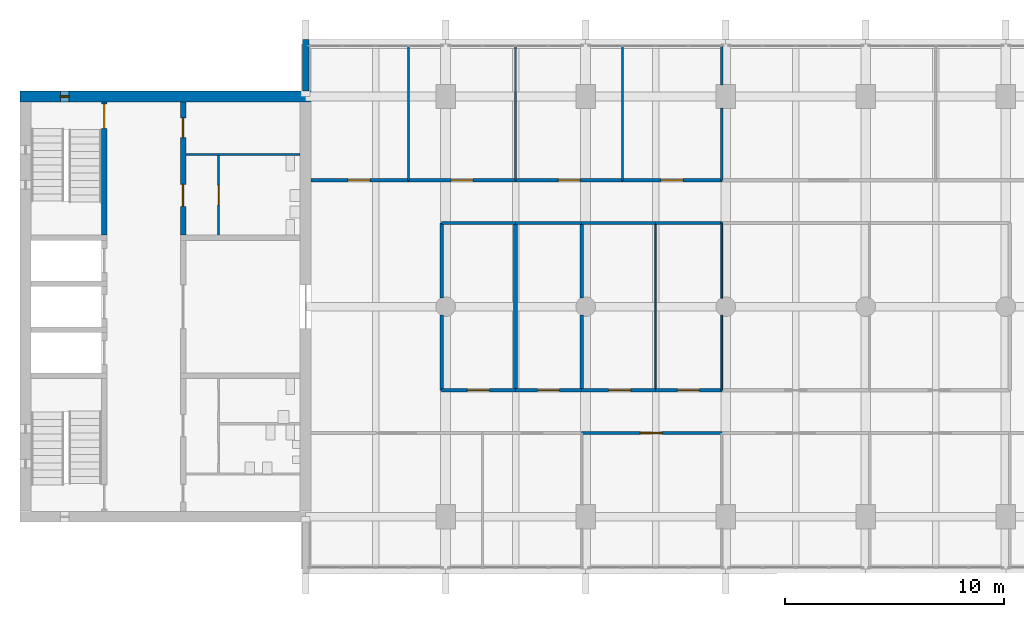
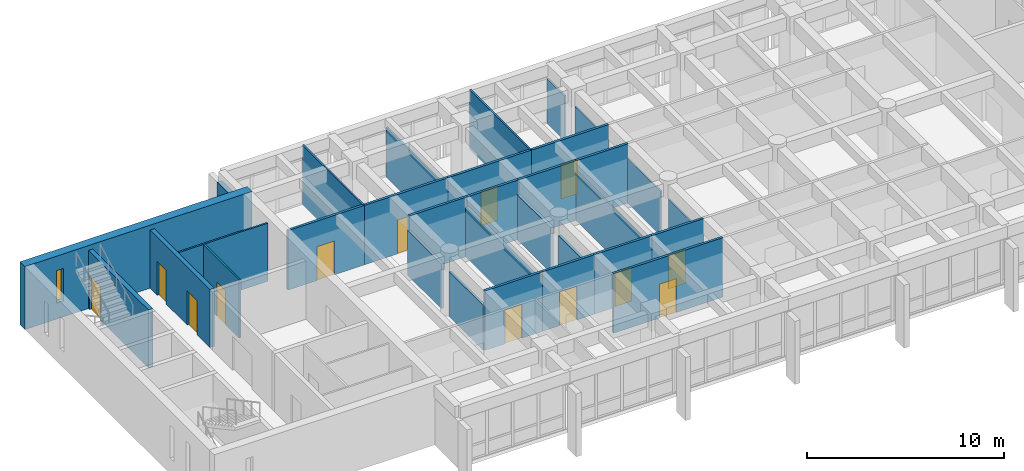
# One storey, part 10 of 15: 32 walls, 13 doors, 1 window, 14 openings.
"""IFC4 building model written with IfcOpenShell, lengths in metres."""

from ifc_helpers import new_model, si_unit, direction, frame, frame_2d, origin, place, context, subcontext, project, spatial, rectangle, extrude, material, layer, layer_set, type_object, element, fill, save


model = new_model("IFC4")

# Units and contexts
model_context = context("Model", 3, precision=1e-05, world=origin(), true_north=direction((0.0, 1.0)))
body_context = subcontext(model_context, "Body", "Model", "MODEL_VIEW")
ifc_project = project(units=[si_unit("LENGTHUNIT", "METRE"), si_unit("AREAUNIT", "SQUARE_METRE"), si_unit("VOLUMEUNIT", "CUBIC_METRE"), si_unit("PLANEANGLEUNIT", "RADIAN"), si_unit("MASSUNIT", "GRAM", prefix="KILO")], contexts=[model_context])

# Site, building, storey
site_placement = place(None, origin())
site = spatial("IfcSite", under=ifc_project, at=site_placement, CompositionType="ELEMENT")
building_placement = place(site_placement, origin())
building = spatial("IfcBuilding", under=site, at=building_placement, Name="Fogon Plaza Fire Station and Headquarters Tower", CompositionType="ELEMENT")
storey_placement = place(building_placement, frame((0.0, 0.0, 48.300048828125)))
storey = spatial("IfcBuildingStorey", under=building, at=storey_placement, Name="L12", CompositionType="ELEMENT", Elevation=48.300048828125)

# Wall, opening, door
ifc_material_1 = material(Name="Concrete C40", Category="concrete")
ifc_layer_1 = layer(ifc_material_1, 0.25)
ifc_layer_set_1 = layer_set([ifc_layer_1], Name="Concrete C40")
wall_type_1 = type_object("IfcWallType", Name="Core Wall RC 250", PredefinedType="SOLIDWALL", material=ifc_layer_set_1)
wall_1_placement = place(storey_placement, frame((16.39990234375, 46.47509765625, 0.0), z_axis=(0.0, 0.0, 1.0), x_axis=(0.0, 1.0, 0.0)))
wall_1 = element("IfcWall", 1, at=wall_1_placement, inside=storey, type_object=wall_type_1, Name="Core A shaft wall", PredefinedType="SOLIDWALL", context=body_context, shape_type="SweptSolid", body=[
    extrude(rectangle(XDim=6.074951171875, YDim=0.25, at=frame_2d((3.03759765625, 0.0))), origin(), (0.0, 0.0, 1.0), 3.599853515625),
])
opening_1_placement = place(wall_1_placement, frame((4.875, 0.0, 0.0)))
opening_1 = element("IfcOpeningElement", 2, at=opening_1_placement, cuts=wall_1, Name="Opening L12-D02", PredefinedType="OPENING", context=body_context, shape_type="SweptSolid", body=[
    extrude(rectangle(XDim=1.10009765625, YDim=2.10009765625, at=frame_2d((0.550048828125, 1.050048828125))), frame((0.0, 0.135009765625, 0.0), z_axis=(0.0, -1.0, 0.0), x_axis=(1.0, 0.0, 0.0)), (0.0, 0.0, 1.0), 0.27001953125),
])
ifc_material_2 = material(Name="Steel Fire Door Leaf", Category="steel")
door_type_1 = type_object("IfcDoorType", Name="Stair Door Single 1100x2100", OperationType="SINGLE_SWING_LEFT", PredefinedType="DOOR", material=ifc_material_2)
door_1_placement = place(opening_1_placement, origin())
door_1 = element("IfcDoor", 3, at=door_1_placement, inside=storey, type_object=door_type_1, Name="Stair door ST2", OperationType="SINGLE_SWING_RIGHT", OverallHeight=2.10009765625, OverallWidth=1.10009765625, PredefinedType="DOOR", context=body_context, shape_type="SweptSolid", body=[
    extrude(rectangle(XDim=1.10009765625, YDim=2.10009765625, at=frame_2d((0.550048828125, 1.050048828125))), frame((0.0, 0.02490234375, 0.0), z_axis=(0.0, -1.0, 0.0), x_axis=(1.0, 0.0, 0.0)), (0.0, 0.0, 1.0), 0.050048828125),
])
fill(opening_1, door_1)

# Wall, openings, doors
wall_2_placement = place(storey_placement, frame((20.0, 46.47509765625, 0.0), z_axis=(0.0, 0.0, 1.0), x_axis=(0.0, 1.0, 0.0)))
wall_2 = element("IfcWall", 4, at=wall_2_placement, inside=storey, type_object=wall_type_1, Name="Core A shaft wall", PredefinedType="SOLIDWALL", context=body_context, shape_type="SweptSolid", body=[
    extrude(rectangle(XDim=6.074951171875, YDim=0.25, at=frame_2d((3.03759765625, 0.0))), origin(), (0.0, 0.0, 1.0), 3.599853515625),
])
opening_2_placement = place(wall_2_placement, frame((1.3125, 0.0, 0.0)))
opening_2 = element("IfcOpeningElement", 5, at=opening_2_placement, cuts=wall_2, Name="Opening L12-D12", PredefinedType="OPENING", context=body_context, shape_type="SweptSolid", body=[
    extrude(rectangle(XDim=1.0, YDim=2.10009765625, at=frame_2d((0.5, 1.050048828125))), frame((0.0, 0.135009765625, 0.0), z_axis=(0.0, -1.0, 0.0), x_axis=(1.0, 0.0, 0.0)), (0.0, 0.0, 1.0), 0.27001953125),
])
opening_3_placement = place(wall_2_placement, frame((4.449951171875, 0.0, 0.0)))
opening_3 = element("IfcOpeningElement", 6, at=opening_3_placement, cuts=wall_2, Name="Opening L12-D14", PredefinedType="OPENING", context=body_context, shape_type="SweptSolid", body=[
    extrude(rectangle(XDim=0.89990234375, YDim=2.10009765625, at=frame_2d((0.449951171875, 1.050048828125))), frame((0.0, 0.135009765625, 0.0), z_axis=(0.0, -1.0, 0.0), x_axis=(1.0, 0.0, 0.0)), (0.0, 0.0, 1.0), 0.27001953125),
])
ifc_material_3 = material(Name="Steel Fire Door Leaf", Category="steel")
door_type_2 = type_object("IfcDoorType", Name="Riser Single 900x2100", OperationType="SINGLE_SWING_LEFT", PredefinedType="DOOR", material=ifc_material_3)
door_2_placement = place(opening_3_placement, frame((0.89990234375, 0.0, 0.0), z_axis=(0.0, 0.0, 1.0), x_axis=(-1.0, 0.0, 0.0)))
door_2 = element("IfcDoor", 7, at=door_2_placement, inside=storey, type_object=door_type_2, Name="Riser room A door", OperationType="SINGLE_SWING_RIGHT", OverallHeight=2.10009765625, OverallWidth=0.89990234375, PredefinedType="DOOR", context=body_context, shape_type="SweptSolid", body=[
    extrude(rectangle(XDim=0.89990234375, YDim=2.10009765625, at=frame_2d((0.449951171875, 1.050048828125))), frame((0.0, 0.02490234375, 0.0), z_axis=(0.0, -1.0, 0.0), x_axis=(1.0, 0.0, 0.0)), (0.0, 0.0, 1.0), 0.050048828125),
])
fill(opening_3, door_2)
ifc_material_4 = material(Name="Timber fire door", Category="wood")
door_type_3 = type_object("IfcDoorType", Name="WC Lobby Single 1000x2100", OperationType="SINGLE_SWING_LEFT", PredefinedType="DOOR", material=ifc_material_4)
door_3_placement = place(opening_2_placement, frame((1.0, 0.0, 0.0), z_axis=(0.0, 0.0, 1.0), x_axis=(-1.0, 0.0, 0.0)))
door_3 = element("IfcDoor", 8, at=door_3_placement, inside=storey, type_object=door_type_3, Name="Women's WC lobby A door", OperationType="SINGLE_SWING_RIGHT", OverallHeight=2.10009765625, OverallWidth=1.0, PredefinedType="DOOR", context=body_context, shape_type="SweptSolid", body=[
    extrude(rectangle(XDim=1.0, YDim=2.10009765625, at=frame_2d((0.5, 1.050048828125))), frame((0.0, 0.02490234375, 0.0), z_axis=(0.0, -1.0, 0.0), x_axis=(1.0, 0.0, 0.0)), (0.0, 0.0, 1.0), 0.050048828125),
])
fill(opening_2, door_3)

# Wall
ifc_material_5 = material(Name="Concrete C40", Category="concrete")
ifc_layer_2 = layer(ifc_material_5, 0.300048828125)
ifc_layer_set_2 = layer_set([ifc_layer_2], Name="Concrete C40")
wall_type_2 = type_object("IfcWallType", Name="Fair-faced RC Return Panel 300", PredefinedType="SOLIDWALL", material=ifc_layer_set_2)
wall_3_placement = place(storey_placement, frame((25.60009765625, 53.050048828125, 0.0), z_axis=(0.0, 0.0, 1.0), x_axis=(0.0, 1.0, 0.0)))
element("IfcWall", 9, at=wall_3_placement, inside=storey, type_object=wall_type_2, Name="Bar end return WN L12", PredefinedType="SOLIDWALL", context=body_context, shape_type="SweptSolid", body=[
    extrude(rectangle(XDim=2.349853515625, YDim=0.300048828125, at=frame_2d((1.1748046875, 0.0))), origin(), (0.0, 0.0, 1.0), 2.8798828125),
])

# Wall, opening, door
ifc_material_6 = material(Name="Blockwork", Category="masonry")
ifc_layer_3 = layer(ifc_material_6, 0.10009765625)
ifc_layer_set_3 = layer_set([ifc_layer_3], Name="Blockwork")
wall_type_3 = type_object("IfcWallType", Name="Partition Blockwork 100", PredefinedType="PARTITIONING", material=ifc_layer_set_3)
wall_4_placement = place(storey_placement, frame((21.625, 46.47509765625, 0.0), z_axis=(0.0, 0.0, 1.0), x_axis=(0.0, 1.0, 0.0)))
wall_4 = element("IfcWall", 10, at=wall_4_placement, inside=storey, type_object=wall_type_3, Name="WC block partition", PredefinedType="PARTITIONING", context=body_context, shape_type="SweptSolid", body=[
    extrude(rectangle(XDim=3.625, YDim=0.10009765625, at=frame_2d((1.8125, 0.0))), origin(), (0.0, 0.0, 1.0), 3.599853515625),
])
opening_4_placement = place(wall_4_placement, frame((1.362548828125, 0.0, 0.0)))
opening_4 = element("IfcOpeningElement", 11, at=opening_4_placement, cuts=wall_4, Name="Opening L12-D13", PredefinedType="OPENING", context=body_context, shape_type="SweptSolid", body=[
    extrude(rectangle(XDim=0.89990234375, YDim=2.10009765625, at=frame_2d((0.449951171875, 1.050048828125))), frame((0.0, 0.06005859375, 0.0), z_axis=(0.0, -1.0, 0.0), x_axis=(1.0, 0.0, 0.0)), (0.0, 0.0, 1.0), 0.1201171875),
])
ifc_material_7 = material(Name="Timber Door Leaf", Category="wood")
door_type_4 = type_object("IfcDoorType", Name="WC Single 900x2100", OperationType="SINGLE_SWING_LEFT", PredefinedType="DOOR", material=ifc_material_7)
door_4_placement = place(opening_4_placement, frame((0.89990234375, 0.0, 0.0), z_axis=(0.0, 0.0, 1.0), x_axis=(-1.0, 0.0, 0.0)))
door_4 = element("IfcDoor", 12, at=door_4_placement, inside=storey, type_object=door_type_4, Name="Women's WC A door", OperationType="SINGLE_SWING_LEFT", OverallHeight=2.10009765625, OverallWidth=0.89990234375, PredefinedType="DOOR", context=body_context, shape_type="SweptSolid", body=[
    extrude(rectangle(XDim=0.89990234375, YDim=2.10009765625, at=frame_2d((0.449951171875, 1.050048828125))), frame((0.0, 0.02490234375, 0.0), z_axis=(0.0, -1.0, 0.0), x_axis=(1.0, 0.0, 0.0)), (0.0, 0.0, 1.0), 0.050048828125),
])
fill(opening_4, door_4)

# Wall
ifc_material_8 = material(Name="Blockwork", Category="masonry")
ifc_layer_4 = layer(ifc_material_8, 0.10009765625)
ifc_layer_set_4 = layer_set([ifc_layer_4], Name="Blockwork")
wall_type_4 = type_object("IfcWallType", Name="Riser Partition Blockwork 100", PredefinedType="PARTITIONING", material=ifc_layer_set_4)
wall_5_placement = place(storey_placement, frame((20.125, 50.14990234375, 0.0), z_axis=(0.0, 0.0, 1.0), x_axis=(1.0, 0.0, 0.0)))
element("IfcWall", 13, at=wall_5_placement, inside=storey, type_object=wall_type_4, Name="Riser room partition", PredefinedType="PARTITIONING", context=body_context, shape_type="SweptSolid", body=[
    extrude(rectangle(XDim=5.22509765625, YDim=0.10009765625, at=frame_2d((2.612548828125, 0.0))), origin(), (0.0, 0.0, 1.0), 3.599853515625),
])

# Wall, opening, window
ifc_material_9 = material(Name="Concrete C40", Category="concrete")
ifc_layer_5 = layer(ifc_material_9, 0.5)
ifc_layer_set_5 = layer_set([ifc_layer_5], Name="Concrete C40")
wall_type_5 = type_object("IfcWallType", Name="Shear wall 500 SW50", PredefinedType="SHEAR", material=ifc_layer_set_5)
wall_6_placement = place(storey_placement, frame((12.550048828125, 52.800048828125, 0.0), z_axis=(0.0, 0.0, 1.0), x_axis=(1.0, 0.0, 0.0)))
wall_6 = element("IfcWall", 14, at=wall_6_placement, inside=storey, type_object=wall_type_5, Name="wall-coreA-N-L12", PredefinedType="SHEAR", context=body_context, shape_type="SweptSolid", body=[
    extrude(rectangle(XDim=13.300048828125, YDim=0.5, at=frame_2d((6.64990234375, 0.0))), origin(), (0.0, 0.0, 1.0), 3.89990234375),
])
opening_5_placement = place(wall_6_placement, frame((1.85009765625, 0.0, 1.0)))
opening_5 = element("IfcOpeningElement", 15, at=opening_5_placement, cuts=wall_6, Name="Opening WS1", PredefinedType="OPENING", context=body_context, shape_type="SweptSolid", body=[
    extrude(rectangle(XDim=0.39990234375, YDim=2.0, at=frame_2d((0.199951171875, 1.0))), frame((0.0, 0.260009765625, 0.0), z_axis=(0.0, -1.0, 0.0), x_axis=(1.0, 0.0, 0.0)), (0.0, 0.0, 1.0), 0.52001953125),
])
ifc_material_10 = material(Name="Aluminium framed double glazing", Category="aluminium")
window_type = type_object("IfcWindowType", Name="Slit Window WS1 400x2000", PartitioningType="SINGLE_PANEL", PredefinedType="WINDOW", material=ifc_material_10)
window_placement = place(opening_5_placement, origin())
window = element("IfcWindow", 16, at=window_placement, inside=storey, type_object=window_type, Name="Slit window A6 L12", OverallHeight=2.0, OverallWidth=0.39990234375, PartitioningType="SINGLE_PANEL", PredefinedType="WINDOW", context=body_context, shape_type="SweptSolid", body=[
    extrude(rectangle(XDim=0.39990234375, YDim=2.0, at=frame_2d((0.199951171875, 1.0))), frame((0.0, 0.030029296875, 0.0), z_axis=(0.0, -1.0, 0.0), x_axis=(1.0, 0.0, 0.0)), (0.0, 0.0, 1.0), 0.06005859375),
])
fill(opening_5, window)

# Walls
ifc_material_11 = material(Name="Double gypsum board on twin steel stud", Category="steel")
ifc_layer_6 = layer(ifc_material_11, 0.175048828125)
ifc_layer_set_6 = layer_set([ifc_layer_6], Name="Double gypsum board on twin steel stud")
wall_type_6 = type_object("IfcWallType", Name="Tower acoustic partition 175 Beam Head 600", PredefinedType="PARTITIONING", material=ifc_layer_set_6)
wall_7_placement = place(storey_placement, frame((35.199951171875, 39.375, 0.0), z_axis=(0.0, 0.0, 1.0), x_axis=(0.0, 1.0, 0.0)))
element("IfcWall", 17, at=wall_7_placement, inside=storey, type_object=wall_type_6, Name="part-L12-28", PredefinedType="PARTITIONING", context=body_context, shape_type="SweptSolid", body=[
    extrude(rectangle(XDim=7.64990234375, YDim=0.175048828125, at=frame_2d((3.824951171875, 0.0))), origin(), (0.0, 0.0, 1.0), 3.079833984375),
])
ifc_material_12 = material(Name="Double gypsum board on twin steel stud", Category="steel")
ifc_layer_7 = layer(ifc_material_12, 0.175048828125)
ifc_layer_set_7 = layer_set([ifc_layer_7], Name="Double gypsum board on twin steel stud")
wall_type_7 = type_object("IfcWallType", Name="Tower acoustic partition 175 Beam Head 900", PredefinedType="PARTITIONING", material=ifc_layer_set_7)
for number, where, z_axis, x_axis, name in (
    (18, (38.219970703125, 39.375, 0.0), (0.0, 0.0, 1.0), (0.0, 1.0, 0.0), "part-L12-29"),
    (19, (38.219970703125, 43.59228515625, 0.0), (0.0, 0.0, 1.0), (0.0, 1.0, 0.0), "part-L12-30"),
):
    element("IfcWall", number, at=place(storey_placement, frame(where, z_axis=z_axis, x_axis=x_axis)), inside=storey, type_object=wall_type_7, Name=name, PredefinedType="PARTITIONING", context=body_context, shape_type="SweptSolid", body=[
        extrude(rectangle(XDim=3.4326171875, YDim=0.175048828125, at=frame_2d((1.71630859375, 0.0))), origin(), (0.0, 0.0, 1.0), 2.780029296875),
    ])

# Wall, opening, door
ifc_material_13 = material(Name="Gypsum board on steel stud", Category="steel")
ifc_layer_8 = layer(ifc_material_13, 0.14990234375)
ifc_layer_set_8 = layer_set([ifc_layer_8], Name="Gypsum board on steel stud")
wall_type_8 = type_object("IfcWallType", Name="Tower corridor partition 150 EI 60", PredefinedType="PARTITIONING", material=ifc_layer_set_8)
wall_8_placement = place(storey_placement, frame((38.219970703125, 37.425048828125, 0.0), z_axis=(0.0, 0.0, 1.0), x_axis=(1.0, 0.0, 0.0)))
wall_8 = element("IfcWall", 20, at=wall_8_placement, inside=storey, type_object=wall_type_8, Name="part-L12-03", PredefinedType="PARTITIONING", context=body_context, shape_type="SweptSolid", body=[
    extrude(rectangle(XDim=6.400146484375, YDim=0.14990234375, at=frame_2d((3.2001953125, 0.0))), origin(), (0.0, 0.0, 1.0), 3.679931640625),
])
opening_6_placement = place(wall_8_placement, frame((2.679931640625, 0.0, 0.0)))
opening_6 = element("IfcOpeningElement", 21, at=opening_6_placement, cuts=wall_8, Name="Opening L12-D31", PredefinedType="OPENING", context=body_context, shape_type="SweptSolid", body=[
    extrude(rectangle(XDim=1.0, YDim=2.10009765625, at=frame_2d((0.5, 1.050048828125))), frame((0.0, 0.0849609375, 0.0), z_axis=(0.0, -1.0, 0.0), x_axis=(1.0, 0.0, 0.0)), (0.0, 0.0, 1.0), 0.169921875),
])
ifc_material_14 = material(Name="Fire rated glazed door")
door_type_5 = type_object("IfcDoorType", Name="Tower glazed fire door single 1000 EI 20", OperationType="SINGLE_SWING_LEFT", PredefinedType="DOOR", material=ifc_material_14)
door_5_placement = place(opening_6_placement, frame((1.0, 0.0, 0.0), z_axis=(0.0, 0.0, 1.0), x_axis=(-1.0, 0.0, 0.0)))
door_5 = element("IfcDoor", 22, at=door_5_placement, inside=storey, type_object=door_type_5, Name="door-L12-03", OperationType="SINGLE_SWING_LEFT", OverallHeight=2.10009765625, OverallWidth=1.0, PredefinedType="DOOR", context=body_context, shape_type="SweptSolid", body=[
    extrude(rectangle(XDim=1.0, YDim=2.10009765625, at=frame_2d((0.5, 1.050048828125))), frame((0.0, 0.02490234375, 0.0), z_axis=(0.0, -1.0, 0.0), x_axis=(1.0, 0.0, 0.0)), (0.0, 0.0, 1.0), 0.050048828125),
])
fill(opening_6, door_5)

wall_9_placement = place(storey_placement, frame((31.820068359375, 39.375, 0.0), z_axis=(0.0, 0.0, 1.0), x_axis=(1.0, 0.0, 0.0)))
wall_9 = element("IfcWall", 23, at=wall_9_placement, inside=storey, type_object=wall_type_8, Name="part-L12-16", PredefinedType="PARTITIONING", context=body_context, shape_type="SweptSolid", body=[
    extrude(rectangle(XDim=3.3798828125, YDim=0.14990234375, at=frame_2d((1.68994140625, 0.0))), origin(), (0.0, 0.0, 1.0), 3.679931640625),
])
opening_7_placement = place(wall_9_placement, frame((1.179931640625, 0.0, 0.0)))
opening_7 = element("IfcOpeningElement", 24, at=opening_7_placement, cuts=wall_9, Name="Opening L12-D35", PredefinedType="OPENING", context=body_context, shape_type="SweptSolid", body=[
    extrude(rectangle(XDim=1.0, YDim=2.10009765625, at=frame_2d((0.5, 1.050048828125))), frame((0.0, 0.0849609375, 0.0), z_axis=(0.0, -1.0, 0.0), x_axis=(1.0, 0.0, 0.0)), (0.0, 0.0, 1.0), 0.169921875),
])
ifc_material_15 = material(Name="Timber fire door", Category="wood")
door_type_6 = type_object("IfcDoorType", Name="Tower fire door single 1000 EI 20", OperationType="SINGLE_SWING_LEFT", PredefinedType="DOOR", material=ifc_material_15)
door_6_placement = place(opening_7_placement, origin())
door_6 = element("IfcDoor", 25, at=door_6_placement, inside=storey, type_object=door_type_6, Name="door-L12-07", OperationType="SINGLE_SWING_LEFT", OverallHeight=2.10009765625, OverallWidth=1.0, PredefinedType="DOOR", context=body_context, shape_type="SweptSolid", body=[
    extrude(rectangle(XDim=1.0, YDim=2.10009765625, at=frame_2d((0.5, 1.050048828125))), frame((0.0, 0.02490234375, 0.0), z_axis=(0.0, -1.0, 0.0), x_axis=(1.0, 0.0, 0.0)), (0.0, 0.0, 1.0), 0.050048828125),
])
fill(opening_7, door_6)

# Wall
wall_10_placement = place(storey_placement, frame((31.820068359375, 47.02490234375, 0.0), z_axis=(0.0, 0.0, 1.0), x_axis=(1.0, 0.0, 0.0)))
element("IfcWall", 26, at=wall_10_placement, inside=storey, type_object=wall_type_8, Name="part-L12-17", PredefinedType="PARTITIONING", context=body_context, shape_type="SweptSolid", body=[
    extrude(rectangle(XDim=3.3798828125, YDim=0.14990234375, at=frame_2d((1.68994140625, 0.0))), origin(), (0.0, 0.0, 1.0), 3.679931640625),
])

# Wall, opening, door
wall_11_placement = place(storey_placement, frame((35.199951171875, 39.375, 0.0), z_axis=(0.0, 0.0, 1.0), x_axis=(1.0, 0.0, 0.0)))
wall_11 = element("IfcWall", 27, at=wall_11_placement, inside=storey, type_object=wall_type_8, Name="part-L12-18", PredefinedType="PARTITIONING", context=body_context, shape_type="SweptSolid", body=[
    extrude(rectangle(XDim=3.02001953125, YDim=0.14990234375, at=frame_2d((1.510009765625, 0.0))), origin(), (0.0, 0.0, 1.0), 3.679931640625),
])
opening_8_placement = place(wall_11_placement, frame((1.0, 0.0, 0.0)))
opening_8 = element("IfcOpeningElement", 28, at=opening_8_placement, cuts=wall_11, Name="Opening L12-D36", PredefinedType="OPENING", context=body_context, shape_type="SweptSolid", body=[
    extrude(rectangle(XDim=1.0, YDim=2.10009765625, at=frame_2d((0.5, 1.050048828125))), frame((0.0, 0.0849609375, 0.0), z_axis=(0.0, -1.0, 0.0), x_axis=(1.0, 0.0, 0.0)), (0.0, 0.0, 1.0), 0.169921875),
])
door_7_placement = place(opening_8_placement, origin())
door_7 = element("IfcDoor", 29, at=door_7_placement, inside=storey, type_object=door_type_6, Name="door-L12-08", OperationType="SINGLE_SWING_RIGHT", OverallHeight=2.10009765625, OverallWidth=1.0, PredefinedType="DOOR", context=body_context, shape_type="SweptSolid", body=[
    extrude(rectangle(XDim=1.0, YDim=2.10009765625, at=frame_2d((0.5, 1.050048828125))), frame((0.0, 0.02490234375, 0.0), z_axis=(0.0, -1.0, 0.0), x_axis=(1.0, 0.0, 0.0)), (0.0, 0.0, 1.0), 0.050048828125),
])
fill(opening_8, door_7)

# Wall
wall_12_placement = place(storey_placement, frame((35.199951171875, 47.02490234375, 0.0), z_axis=(0.0, 0.0, 1.0), x_axis=(1.0, 0.0, 0.0)))
element("IfcWall", 30, at=wall_12_placement, inside=storey, type_object=wall_type_8, Name="part-L12-19", PredefinedType="PARTITIONING", context=body_context, shape_type="SweptSolid", body=[
    extrude(rectangle(XDim=3.02001953125, YDim=0.14990234375, at=frame_2d((1.510009765625, 0.0))), origin(), (0.0, 0.0, 1.0), 3.679931640625),
])

# Wall, opening, door
wall_13_placement = place(storey_placement, frame((38.219970703125, 39.375, 0.0), z_axis=(0.0, 0.0, 1.0), x_axis=(1.0, 0.0, 0.0)))
wall_13 = element("IfcWall", 31, at=wall_13_placement, inside=storey, type_object=wall_type_8, Name="part-L12-20", PredefinedType="PARTITIONING", context=body_context, shape_type="SweptSolid", body=[
    extrude(rectangle(XDim=3.380126953125, YDim=0.14990234375, at=frame_2d((1.68994140625, 0.0))), origin(), (0.0, 0.0, 1.0), 3.679931640625),
])
opening_9_placement = place(wall_13_placement, frame((1.22998046875, 0.0, 0.0)))
opening_9 = element("IfcOpeningElement", 32, at=opening_9_placement, cuts=wall_13, Name="Opening L12-D37", PredefinedType="OPENING", context=body_context, shape_type="SweptSolid", body=[
    extrude(rectangle(XDim=1.0, YDim=2.10009765625, at=frame_2d((0.5, 1.050048828125))), frame((0.0, 0.0849609375, 0.0), z_axis=(0.0, -1.0, 0.0), x_axis=(1.0, 0.0, 0.0)), (0.0, 0.0, 1.0), 0.169921875),
])
door_8_placement = place(opening_9_placement, origin())
door_8 = element("IfcDoor", 33, at=door_8_placement, inside=storey, type_object=door_type_5, Name="door-L12-09", OperationType="SINGLE_SWING_LEFT", OverallHeight=2.10009765625, OverallWidth=1.0, PredefinedType="DOOR", context=body_context, shape_type="SweptSolid", body=[
    extrude(rectangle(XDim=1.0, YDim=2.10009765625, at=frame_2d((0.5, 1.050048828125))), frame((0.0, 0.02490234375, 0.0), z_axis=(0.0, -1.0, 0.0), x_axis=(1.0, 0.0, 0.0)), (0.0, 0.0, 1.0), 0.050048828125),
])
fill(opening_9, door_8)

# Wall
wall_14_placement = place(storey_placement, frame((38.219970703125, 47.02490234375, 0.0), z_axis=(0.0, 0.0, 1.0), x_axis=(1.0, 0.0, 0.0)))
element("IfcWall", 34, at=wall_14_placement, inside=storey, type_object=wall_type_8, Name="part-L12-21", PredefinedType="PARTITIONING", context=body_context, shape_type="SweptSolid", body=[
    extrude(rectangle(XDim=3.380126953125, YDim=0.14990234375, at=frame_2d((1.68994140625, 0.0))), origin(), (0.0, 0.0, 1.0), 3.679931640625),
])

# Wall, opening, door
wall_15_placement = place(storey_placement, frame((41.60009765625, 39.375, 0.0), z_axis=(0.0, 0.0, 1.0), x_axis=(1.0, 0.0, 0.0)))
wall_15 = element("IfcWall", 35, at=wall_15_placement, inside=storey, type_object=wall_type_8, Name="part-L12-22", PredefinedType="PARTITIONING", context=body_context, shape_type="SweptSolid", body=[
    extrude(rectangle(XDim=3.02001953125, YDim=0.14990234375, at=frame_2d((1.510009765625, 0.0))), origin(), (0.0, 0.0, 1.0), 3.679931640625),
])
opening_10_placement = place(wall_15_placement, frame((1.0, 0.0, 0.0)))
opening_10 = element("IfcOpeningElement", 36, at=opening_10_placement, cuts=wall_15, Name="Opening L12-D38", PredefinedType="OPENING", context=body_context, shape_type="SweptSolid", body=[
    extrude(rectangle(XDim=1.0, YDim=2.10009765625, at=frame_2d((0.5, 1.050048828125))), frame((0.0, 0.0849609375, 0.0), z_axis=(0.0, -1.0, 0.0), x_axis=(1.0, 0.0, 0.0)), (0.0, 0.0, 1.0), 0.169921875),
])
door_9_placement = place(opening_10_placement, origin())
door_9 = element("IfcDoor", 37, at=door_9_placement, inside=storey, type_object=door_type_6, Name="door-L12-10", OperationType="SINGLE_SWING_RIGHT", OverallHeight=2.10009765625, OverallWidth=1.0, PredefinedType="DOOR", context=body_context, shape_type="SweptSolid", body=[
    extrude(rectangle(XDim=1.0, YDim=2.10009765625, at=frame_2d((0.5, 1.050048828125))), frame((0.0, 0.02490234375, 0.0), z_axis=(0.0, -1.0, 0.0), x_axis=(1.0, 0.0, 0.0)), (0.0, 0.0, 1.0), 0.050048828125),
])
fill(opening_10, door_9)

# Wall
wall_16_placement = place(storey_placement, frame((41.60009765625, 47.02490234375, 0.0), z_axis=(0.0, 0.0, 1.0), x_axis=(1.0, 0.0, 0.0)))
element("IfcWall", 38, at=wall_16_placement, inside=storey, type_object=wall_type_8, Name="part-L12-23", PredefinedType="PARTITIONING", context=body_context, shape_type="SweptSolid", body=[
    extrude(rectangle(XDim=3.02001953125, YDim=0.14990234375, at=frame_2d((1.510009765625, 0.0))), origin(), (0.0, 0.0, 1.0), 3.679931640625),
])

# Wall, opening, door
wall_17_placement = place(storey_placement, frame((25.85009765625, 48.97509765625, 0.0), z_axis=(0.0, 0.0, 1.0), x_axis=(1.0, 0.0, 0.0)))
wall_17 = element("IfcWall", 39, at=wall_17_placement, inside=storey, type_object=wall_type_8, Name="part-L12-36", PredefinedType="PARTITIONING", context=body_context, shape_type="SweptSolid", body=[
    extrude(rectangle(XDim=4.4599609375, YDim=0.14990234375, at=frame_2d((2.22998046875, 0.0))), origin(), (0.0, 0.0, 1.0), 3.679931640625),
])
opening_11_placement = place(wall_17_placement, frame((1.699951171875, 0.0, 0.0)))
opening_11 = element("IfcOpeningElement", 40, at=opening_11_placement, cuts=wall_17, Name="Opening L12-D41", PredefinedType="OPENING", context=body_context, shape_type="SweptSolid", body=[
    extrude(rectangle(XDim=1.0, YDim=2.10009765625, at=frame_2d((0.5, 1.050048828125))), frame((0.0, 0.0849609375, 0.0), z_axis=(0.0, -1.0, 0.0), x_axis=(1.0, 0.0, 0.0)), (0.0, 0.0, 1.0), 0.169921875),
])
door_10_placement = place(opening_11_placement, origin())
door_10 = element("IfcDoor", 41, at=door_10_placement, inside=storey, type_object=door_type_6, Name="door-L12-13", OperationType="SINGLE_SWING_LEFT", OverallHeight=2.10009765625, OverallWidth=1.0, PredefinedType="DOOR", context=body_context, shape_type="SweptSolid", body=[
    extrude(rectangle(XDim=1.0, YDim=2.10009765625, at=frame_2d((0.5, 1.050048828125))), frame((0.0, 0.02490234375, 0.0), z_axis=(0.0, -1.0, 0.0), x_axis=(1.0, 0.0, 0.0)), (0.0, 0.0, 1.0), 0.050048828125),
])
fill(opening_11, door_10)

wall_18_placement = place(storey_placement, frame((30.31005859375, 48.97509765625, 0.0), z_axis=(0.0, 0.0, 1.0), x_axis=(1.0, 0.0, 0.0)))
wall_18 = element("IfcWall", 42, at=wall_18_placement, inside=storey, type_object=wall_type_8, Name="part-L12-37", PredefinedType="PARTITIONING", context=body_context, shape_type="SweptSolid", body=[
    extrude(rectangle(XDim=4.889892578125, YDim=0.14990234375, at=frame_2d((2.44482421875, 0.0))), origin(), (0.0, 0.0, 1.0), 3.679931640625),
])
opening_12_placement = place(wall_18_placement, frame((1.93994140625, 0.0, 0.0)))
opening_12 = element("IfcOpeningElement", 43, at=opening_12_placement, cuts=wall_18, Name="Opening L12-D42", PredefinedType="OPENING", context=body_context, shape_type="SweptSolid", body=[
    extrude(rectangle(XDim=1.0, YDim=2.10009765625, at=frame_2d((0.5, 1.050048828125))), frame((0.0, 0.0849609375, 0.0), z_axis=(0.0, -1.0, 0.0), x_axis=(1.0, 0.0, 0.0)), (0.0, 0.0, 1.0), 0.169921875),
])
door_11_placement = place(opening_12_placement, origin())
door_11 = element("IfcDoor", 44, at=door_11_placement, inside=storey, type_object=door_type_6, Name="door-L12-14", OperationType="SINGLE_SWING_RIGHT", OverallHeight=2.10009765625, OverallWidth=1.0, PredefinedType="DOOR", context=body_context, shape_type="SweptSolid", body=[
    extrude(rectangle(XDim=1.0, YDim=2.10009765625, at=frame_2d((0.5, 1.050048828125))), frame((0.0, 0.02490234375, 0.0), z_axis=(0.0, -1.0, 0.0), x_axis=(1.0, 0.0, 0.0)), (0.0, 0.0, 1.0), 0.050048828125),
])
fill(opening_12, door_11)

wall_19_placement = place(storey_placement, frame((35.199951171875, 48.97509765625, 0.0), z_axis=(0.0, 0.0, 1.0), x_axis=(1.0, 0.0, 0.0)))
wall_19 = element("IfcWall", 45, at=wall_19_placement, inside=storey, type_object=wall_type_8, Name="part-L12-38", PredefinedType="PARTITIONING", context=body_context, shape_type="SweptSolid", body=[
    extrude(rectangle(XDim=4.89013671875, YDim=0.14990234375, at=frame_2d((2.445068359375, 0.0))), origin(), (0.0, 0.0, 1.0), 3.679931640625),
])
opening_13_placement = place(wall_19_placement, frame((1.949951171875, 0.0, 0.0)))
opening_13 = element("IfcOpeningElement", 46, at=opening_13_placement, cuts=wall_19, Name="Opening L12-D43", PredefinedType="OPENING", context=body_context, shape_type="SweptSolid", body=[
    extrude(rectangle(XDim=1.0, YDim=2.10009765625, at=frame_2d((0.5, 1.050048828125))), frame((0.0, 0.0849609375, 0.0), z_axis=(0.0, -1.0, 0.0), x_axis=(1.0, 0.0, 0.0)), (0.0, 0.0, 1.0), 0.169921875),
])
door_12_placement = place(opening_13_placement, origin())
door_12 = element("IfcDoor", 47, at=door_12_placement, inside=storey, type_object=door_type_6, Name="door-L12-15", OperationType="SINGLE_SWING_LEFT", OverallHeight=2.10009765625, OverallWidth=1.0, PredefinedType="DOOR", context=body_context, shape_type="SweptSolid", body=[
    extrude(rectangle(XDim=1.0, YDim=2.10009765625, at=frame_2d((0.5, 1.050048828125))), frame((0.0, 0.02490234375, 0.0), z_axis=(0.0, -1.0, 0.0), x_axis=(1.0, 0.0, 0.0)), (0.0, 0.0, 1.0), 0.050048828125),
])
fill(opening_13, door_12)

wall_20_placement = place(storey_placement, frame((40.090087890625, 48.97509765625, 0.0), z_axis=(0.0, 0.0, 1.0), x_axis=(1.0, 0.0, 0.0)))
wall_20 = element("IfcWall", 48, at=wall_20_placement, inside=storey, type_object=wall_type_8, Name="part-L12-39", PredefinedType="PARTITIONING", context=body_context, shape_type="SweptSolid", body=[
    extrude(rectangle(XDim=4.530029296875, YDim=0.14990234375, at=frame_2d((2.26513671875, 0.0))), origin(), (0.0, 0.0, 1.0), 3.679931640625),
])
opening_14_placement = place(wall_20_placement, frame((1.760009765625, 0.0, 0.0)))
opening_14 = element("IfcOpeningElement", 49, at=opening_14_placement, cuts=wall_20, Name="Opening L12-D44", PredefinedType="OPENING", context=body_context, shape_type="SweptSolid", body=[
    extrude(rectangle(XDim=1.0, YDim=2.10009765625, at=frame_2d((0.5, 1.050048828125))), frame((0.0, 0.0849609375, 0.0), z_axis=(0.0, -1.0, 0.0), x_axis=(1.0, 0.0, 0.0)), (0.0, 0.0, 1.0), 0.169921875),
])
door_13_placement = place(opening_14_placement, origin())
door_13 = element("IfcDoor", 50, at=door_13_placement, inside=storey, type_object=door_type_6, Name="door-L12-16", OperationType="SINGLE_SWING_RIGHT", OverallHeight=2.10009765625, OverallWidth=1.0, PredefinedType="DOOR", context=body_context, shape_type="SweptSolid", body=[
    extrude(rectangle(XDim=1.0, YDim=2.10009765625, at=frame_2d((0.5, 1.050048828125))), frame((0.0, 0.02490234375, 0.0), z_axis=(0.0, -1.0, 0.0), x_axis=(1.0, 0.0, 0.0)), (0.0, 0.0, 1.0), 0.050048828125),
])
fill(opening_14, door_13)

# Walls
ifc_material_16 = material(Name="Gypsum board on steel stud", Category="steel")
ifc_layer_9 = layer(ifc_material_16, 0.14990234375)
ifc_layer_set_9 = layer_set([ifc_layer_9], Name="Gypsum board on steel stud")
wall_type_9 = type_object("IfcWallType", Name="Tower corridor partition 150 EI 60 Beam Head 900", PredefinedType="PARTITIONING", material=ifc_layer_set_9)
for number, where, z_axis, x_axis, name in (
    (51, (31.820068359375, 39.375, 0.0), (0.0, 0.0, 1.0), (0.0, 1.0, 0.0), "part-L12-48"),
    (52, (31.820068359375, 43.59228515625, 0.0), (0.0, 0.0, 1.0), (0.0, 1.0, 0.0), "part-L12-49"),
):
    element("IfcWall", number, at=place(storey_placement, frame(where, z_axis=z_axis, x_axis=x_axis)), inside=storey, type_object=wall_type_9, Name=name, PredefinedType="PARTITIONING", context=body_context, shape_type="SweptSolid", body=[
        extrude(rectangle(XDim=3.4326171875, YDim=0.14990234375, at=frame_2d((1.71630859375, 0.0))), origin(), (0.0, 0.0, 1.0), 2.780029296875),
    ])
ifc_material_17 = material(Name="Glazed aluminium partition", Category="aluminium")
ifc_layer_10 = layer(ifc_material_17, 0.074951171875)
ifc_layer_set_10 = layer_set([ifc_layer_10], Name="Glazed aluminium partition")
wall_type_10 = type_object("IfcWallType", Name="Tower glazed partition 75 Beam Head 600", PredefinedType="PARTITIONING", material=ifc_layer_set_10)
wall_21_placement = place(storey_placement, frame((41.60009765625, 39.375, 0.0), z_axis=(0.0, 0.0, 1.0), x_axis=(0.0, 1.0, 0.0)))
element("IfcWall", 53, at=wall_21_placement, inside=storey, type_object=wall_type_10, Name="part-L12-31", PredefinedType="PARTITIONING", context=body_context, shape_type="SweptSolid", body=[
    extrude(rectangle(XDim=7.64990234375, YDim=0.074951171875, at=frame_2d((3.824951171875, 0.0))), origin(), (0.0, 0.0, 1.0), 3.079833984375),
])
ifc_material_18 = material(Name="Glazed aluminium partition", Category="aluminium")
ifc_layer_11 = layer(ifc_material_18, 0.074951171875)
ifc_layer_set_11 = layer_set([ifc_layer_11], Name="Glazed aluminium partition")
wall_type_11 = type_object("IfcWallType", Name="Tower glazed partition 75 Beam Head 900", PredefinedType="PARTITIONING", material=ifc_layer_set_11)
for number, where, z_axis, x_axis, name in (
    (54, (44.6201171875, 39.375, 0.0), (0.0, 0.0, 1.0), (0.0, 1.0, 0.0), "part-L12-32"),
    (55, (44.6201171875, 43.59228515625, 0.0), (0.0, 0.0, 1.0), (0.0, 1.0, 0.0), "part-L12-33"),
):
    element("IfcWall", number, at=place(storey_placement, frame(where, z_axis=z_axis, x_axis=x_axis)), inside=storey, type_object=wall_type_11, Name=name, PredefinedType="PARTITIONING", context=body_context, shape_type="SweptSolid", body=[
        extrude(rectangle(XDim=3.4326171875, YDim=0.074951171875, at=frame_2d((1.71630859375, 0.0))), origin(), (0.0, 0.0, 1.0), 2.780029296875),
    ])
ifc_material_19 = material(Name="Gypsum board on steel stud", Category="steel")
ifc_layer_12 = layer(ifc_material_19, 0.10009765625)
ifc_layer_set_12 = layer_set([ifc_layer_12], Name="Gypsum board on steel stud")
wall_type_12 = type_object("IfcWallType", Name="Tower office partition 100", PredefinedType="PARTITIONING", material=ifc_layer_set_12)
for number, where, z_axis, x_axis, name in (
    (56, (30.31005859375, 48.97509765625, 0.0), (0.0, 0.0, 1.0), (0.0, 1.0, 0.0), "part-L12-42"),
    (57, (40.090087890625, 48.97509765625, 0.0), (0.0, 0.0, 1.0), (0.0, 1.0, 0.0), "part-L12-44"),
):
    element("IfcWall", number, at=place(storey_placement, frame(where, z_axis=z_axis, x_axis=x_axis)), inside=storey, type_object=wall_type_12, Name=name, PredefinedType="PARTITIONING", context=body_context, shape_type="SweptSolid", body=[
        extrude(rectangle(XDim=6.125, YDim=0.10009765625, at=frame_2d((3.0625, 0.0))), origin(), (0.0, 0.0, 1.0), 3.679931640625),
    ])
ifc_material_20 = material(Name="Gypsum board on steel stud", Category="steel")
ifc_layer_13 = layer(ifc_material_20, 0.10009765625)
ifc_layer_set_13 = layer_set([ifc_layer_13], Name="Gypsum board on steel stud")
wall_type_13 = type_object("IfcWallType", Name="Tower office partition 100 Beam Head 600", PredefinedType="PARTITIONING", material=ifc_layer_set_13)
wall_22_placement = place(storey_placement, frame((35.199951171875, 48.97509765625, 0.0), z_axis=(0.0, 0.0, 1.0), x_axis=(0.0, 1.0, 0.0)))
element("IfcWall", 58, at=wall_22_placement, inside=storey, type_object=wall_type_13, Name="part-L12-43", PredefinedType="PARTITIONING", context=body_context, shape_type="SweptSolid", body=[
    extrude(rectangle(XDim=6.125, YDim=0.10009765625, at=frame_2d((3.0625, 0.0))), origin(), (0.0, 0.0, 1.0), 3.079833984375),
])
ifc_material_21 = material(Name="Gypsum board on steel stud", Category="steel")
ifc_layer_14 = layer(ifc_material_21, 0.10009765625)
ifc_layer_set_14 = layer_set([ifc_layer_14], Name="Gypsum board on steel stud")
wall_type_14 = type_object("IfcWallType", Name="Tower office partition 100 Beam Head 900", PredefinedType="PARTITIONING", material=ifc_layer_set_14)
wall_23_placement = place(storey_placement, frame((44.6201171875, 48.97509765625, 0.0), z_axis=(0.0, 0.0, 1.0), x_axis=(0.0, 1.0, 0.0)))
element("IfcWall", 59, at=wall_23_placement, inside=storey, type_object=wall_type_14, Name="part-L12-45", PredefinedType="PARTITIONING", context=body_context, shape_type="SweptSolid", body=[
    extrude(rectangle(XDim=3.294921875, YDim=0.10009765625, at=frame_2d((1.6474609375, 0.0))), origin(), (0.0, 0.0, 1.0), 2.780029296875),
])
wall_24_placement = place(storey_placement, frame((44.6201171875, 53.330078125, 0.0), z_axis=(0.0, 0.0, 1.0), x_axis=(0.0, 1.0, 0.0)))
element("IfcWall", 60, at=wall_24_placement, inside=storey, type_object=wall_type_14, Name="part-L12-46", PredefinedType="PARTITIONING", context=body_context, shape_type="SweptSolid", body=[
    extrude(rectangle(XDim=1.77001953125, YDim=0.10009765625, at=frame_2d((0.885009765625, 0.0))), origin(), (0.0, 0.0, 1.0), 2.780029296875),
])

save(model, "model.ifc")
